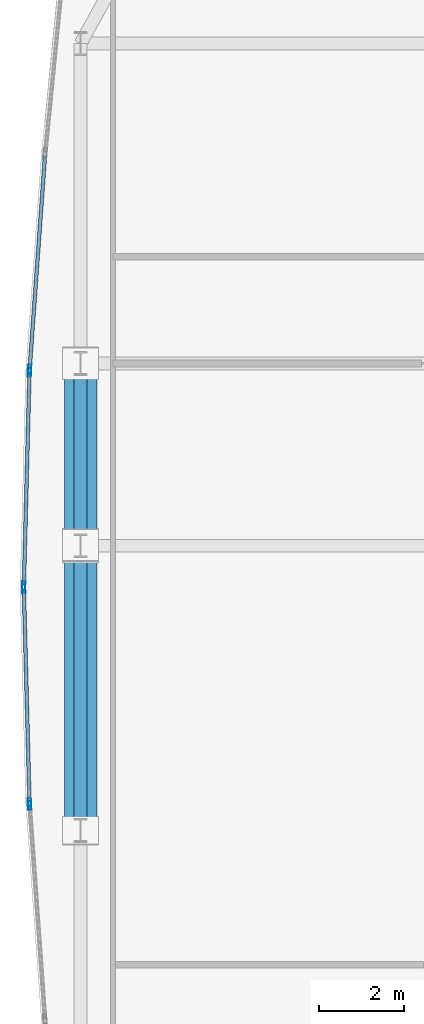
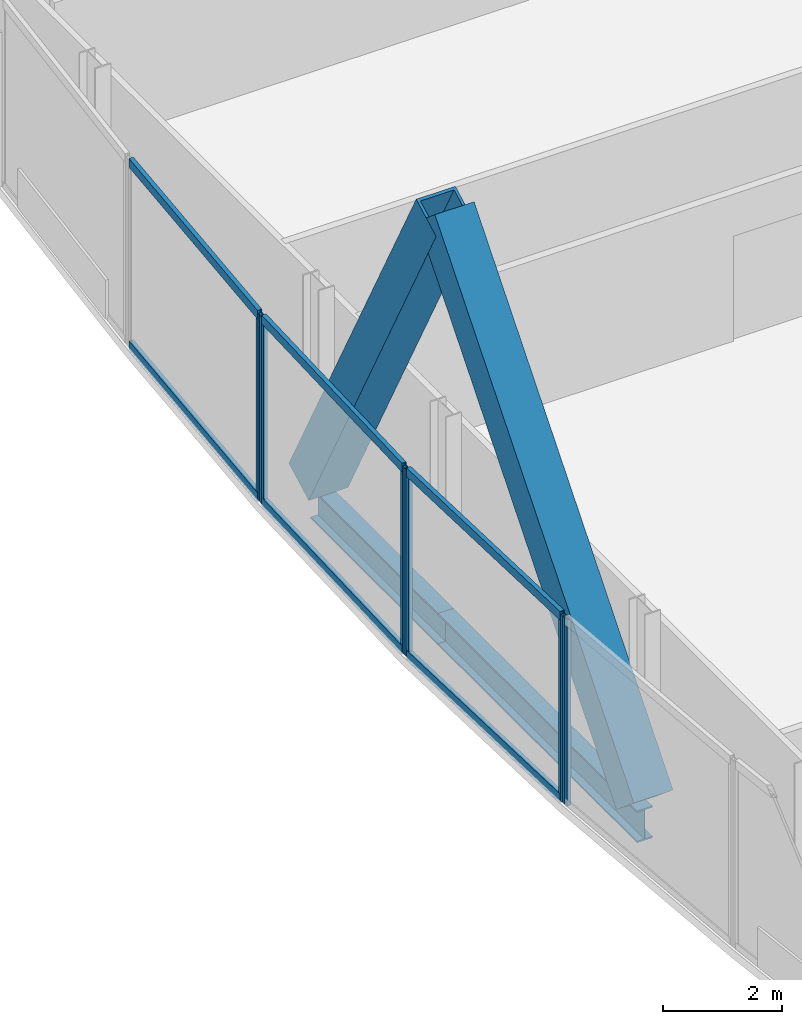
# One storey, part 10 of 33: 14 members, 2 beams, 4 elements without a shape of their own.
"""IFC4 building model written with IfcOpenShell, lengths in metres."""

from ifc_helpers import new_model, si_unit, direction, frame, origin, origin_2d, place, context, subcontext, project, spatial, hollow_rectangle, i_section, extrude, material, material_profile, profile_set, type_object, element, aggregate, save


model = new_model("IFC4")

# Units and contexts
model_context = context("Model", 3, precision=1e-05, world=origin(), true_north=direction((0.0, 1.0)))
body_context = subcontext(model_context, "Body", "Model", "MODEL_VIEW")
ifc_project = project(units=[si_unit("LENGTHUNIT", "METRE"), si_unit("AREAUNIT", "SQUARE_METRE"), si_unit("VOLUMEUNIT", "CUBIC_METRE"), si_unit("PLANEANGLEUNIT", "RADIAN"), si_unit("MASSUNIT", "GRAM", prefix="KILO")], contexts=[model_context])

# Site, building, storey
site_placement = place(None, origin())
site = spatial("IfcSite", under=ifc_project, at=site_placement, CompositionType="ELEMENT")
building_placement = place(site_placement, origin())
building = spatial("IfcBuilding", under=site, at=building_placement, Name="Khoronbel Lancet Exchange", CompositionType="ELEMENT")
storey_placement = place(building_placement, frame((0.0, 0.0, 73.800048828125)))
storey = spatial("IfcBuildingStorey", under=building, at=storey_placement, Name="L17", CompositionType="ELEMENT", Elevation=73.800048828125)

# Beams
ifc_material_1 = material(Name="Steel S355", Category="steel")
ifc_material_profile_1 = material_profile(ifc_material_1, i_section(OverallWidth=0.300048828125, OverallDepth=0.64990234375, WebThickness=0.01611328125, FlangeThickness=0.031005859375, at=origin_2d()), Name="HEB 650")
ifc_profile_set_1 = profile_set([ifc_material_profile_1], Name="Steel S355")
beam_type = type_object("IfcBeamType", Name="BM-BSP1", PredefinedType="SPANDREL", material=ifc_profile_set_1)
beam_1_placement = place(storey_placement, frame((1.27001953125, 35.699951171875, -0.505126953125), z_axis=(0.0, -1.0, 0.0), x_axis=(1.0, 0.0, 0.0)))
element("IfcBeam", 1, at=beam_1_placement, inside=storey, type_object=beam_type, Name="Level L17 perimeter spandrel beam SP18", PredefinedType="SPANDREL", context=body_context, shape_type="SweptSolid", body=[
    extrude(i_section(OverallWidth=0.300048828125, OverallDepth=0.64990234375, WebThickness=0.01611328125, FlangeThickness=0.031005859375, at=origin_2d()), origin(), (0.0, 0.0, 1.0), 4.27490234375),
])
beam_2_placement = place(storey_placement, frame((1.27001953125, 31.425048828125, -0.505126953125), z_axis=(0.0, -1.0, 0.0), x_axis=(1.0, 0.0, 0.0)))
element("IfcBeam", 2, at=beam_2_placement, inside=storey, type_object=beam_type, Name="Level L17 perimeter spandrel beam SP19", PredefinedType="SPANDREL", context=body_context, shape_type="SweptSolid", body=[
    extrude(i_section(OverallWidth=0.300048828125, OverallDepth=0.64990234375, WebThickness=0.01611328125, FlangeThickness=0.031005859375, at=origin_2d()), origin(), (0.0, 0.0, 1.0), 6.675048828125),
])

# Curtain wall, member
ifc_material_2 = material(Name="Low-E Solar Control Insulating Glass", Category="glass")
curtain_wall_type = type_object("IfcCurtainWallType", Name="CW-4", PredefinedType="NOTDEFINED", material=ifc_material_2)
curtain_wall_1_placement = place(storey_placement, origin())
curtain_wall_1 = element("IfcCurtainWall", 3, at=curtain_wall_1_placement, inside=storey, type_object=curtain_wall_type, Name="Unitised curtain wall CW-L17-E05", PredefinedType="NOTDEFINED")
ifc_material_3 = material(Name="Bronze-Anodised Aluminium 6063-T6", Category="aluminium")
ifc_material_profile_2 = material_profile(ifc_material_3, hollow_rectangle(XDim=0.074951171875, YDim=0.199951171875, WallThickness=0.0048828125, at=origin_2d()), Name="ALU MULLION 75x200")
ifc_profile_set_2 = profile_set([ifc_material_profile_2], Name="Bronze-Anodised Aluminium 6063-T6")
member_type_1 = type_object("IfcMemberType", Name="MEM-CWM2", PredefinedType="MULLION", material=ifc_profile_set_2)
member_1_placement = place(storey_placement, frame((0.07666015625, 25.333740234375, 0.0), z_axis=(0.0, 0.0, 1.0), x_axis=(-0.997417674327, -0.071819098708, 0.0)))
member_1 = element("IfcMember", 4, at=member_1_placement, type_object=member_type_1, Name="CW4 mullion 2", PredefinedType="MULLION", context=body_context, shape_type="SweptSolid", body=[
    extrude(hollow_rectangle(XDim=0.074951171875, YDim=0.199951171875, WallThickness=0.0048828125, at=origin_2d()), origin(), (0.0, 0.0, 1.0), 3.820068359375),
])
aggregate(curtain_wall_1, [member_1])

# Curtain wall, members
curtain_wall_2_placement = place(storey_placement, origin())
curtain_wall_2 = element("IfcCurtainWall", 5, at=curtain_wall_2_placement, inside=storey, type_object=curtain_wall_type, Name="Unitised curtain wall CW-L17-E06", PredefinedType="NOTDEFINED")
member_2_placement = place(storey_placement, frame((0.072998046875, 25.40869140625, 0.0), z_axis=(0.0, 0.0, 1.0), x_axis=(-0.999652651433, -0.026354818961, 0.0)))
member_2 = element("IfcMember", 6, at=member_2_placement, type_object=member_type_1, Name="CW4 mullion 1", PredefinedType="MULLION", context=body_context, shape_type="SweptSolid", body=[
    extrude(hollow_rectangle(XDim=0.074951171875, YDim=0.199951171875, WallThickness=0.0048828125, at=origin_2d()), origin(), (0.0, 0.0, 1.0), 3.820068359375),
])
member_3_placement = place(storey_placement, frame((-0.05908203125, 30.41259765625, 0.0), z_axis=(0.0, 0.0, 1.0), x_axis=(-0.999652651433, -0.026354818961, 0.0)))
member_3 = element("IfcMember", 7, at=member_3_placement, type_object=member_type_1, Name="CW4 mullion 2", PredefinedType="MULLION", context=body_context, shape_type="SweptSolid", body=[
    extrude(hollow_rectangle(XDim=0.074951171875, YDim=0.199951171875, WallThickness=0.0048828125, at=origin_2d()), origin(), (0.0, 0.0, 1.0), 3.820068359375),
])

curtain_wall_3_placement = place(storey_placement, origin())
curtain_wall_3 = element("IfcCurtainWall", 8, at=curtain_wall_3_placement, inside=storey, type_object=curtain_wall_type, Name="Unitised curtain wall CW-L17-E07", PredefinedType="NOTDEFINED")
member_4_placement = place(storey_placement, frame((-0.05908203125, 30.487548828125, 0.0), z_axis=(0.0, 0.0, 1.0), x_axis=(-0.999652651433, 0.026354818961, 0.0)))
member_4 = element("IfcMember", 9, at=member_4_placement, type_object=member_type_1, Name="CW4 mullion 1", PredefinedType="MULLION", context=body_context, shape_type="SweptSolid", body=[
    extrude(hollow_rectangle(XDim=0.074951171875, YDim=0.199951171875, WallThickness=0.0048828125, at=origin_2d()), origin(), (0.0, 0.0, 1.0), 3.820068359375),
])
member_5_placement = place(storey_placement, frame((0.072998046875, 35.491455078125, 0.0), z_axis=(0.0, 0.0, 1.0), x_axis=(-0.999652651433, 0.026354818961, 0.0)))
member_5 = element("IfcMember", 10, at=member_5_placement, type_object=member_type_1, Name="CW4 mullion 2", PredefinedType="MULLION", context=body_context, shape_type="SweptSolid", body=[
    extrude(hollow_rectangle(XDim=0.074951171875, YDim=0.199951171875, WallThickness=0.0048828125, at=origin_2d()), origin(), (0.0, 0.0, 1.0), 3.820068359375),
])

# Curtain wall, member
curtain_wall_4_placement = place(storey_placement, origin())
curtain_wall_4 = element("IfcCurtainWall", 11, at=curtain_wall_4_placement, inside=storey, type_object=curtain_wall_type, Name="Unitised curtain wall CW-L17-E08", PredefinedType="NOTDEFINED")
member_6_placement = place(storey_placement, frame((0.07666015625, 35.56640625, 0.0), z_axis=(0.0, 0.0, 1.0), x_axis=(-0.997417674327, 0.071819098708, 0.0)))
member_6 = element("IfcMember", 12, at=member_6_placement, type_object=member_type_1, Name="CW4 mullion 1", PredefinedType="MULLION", context=body_context, shape_type="SweptSolid", body=[
    extrude(hollow_rectangle(XDim=0.074951171875, YDim=0.199951171875, WallThickness=0.0048828125, at=origin_2d()), origin(), (0.0, 0.0, 1.0), 3.820068359375),
])

# Member
ifc_material_profile_3 = material_profile(ifc_material_3, hollow_rectangle(XDim=0.0849609375, YDim=0.179931640625, WallThickness=0.0048828125, at=origin_2d()), Name="ALU TRANSOM 85x180")
ifc_profile_set_3 = profile_set([ifc_material_profile_3], Name="Bronze-Anodised Aluminium 6063-T6")
member_type_2 = type_object("IfcMemberType", Name="MEM-CWT1", PredefinedType="USERDEFINED", material=ifc_profile_set_3)
member_7_placement = place(storey_placement, frame((0.072021484375, 25.446044921875, 0.04248046875), z_axis=(-0.026391319528, 0.999651688466, 0.0), x_axis=(-0.999651688466, -0.026391319528, 0.0)))
member_7 = element("IfcMember", 13, at=member_7_placement, type_object=member_type_2, Name="CW4 transom 1.1", ObjectType="TRANSOM", PredefinedType="USERDEFINED", context=body_context, shape_type="SweptSolid", body=[
    extrude(hollow_rectangle(XDim=0.0849609375, YDim=0.179931640625, WallThickness=0.0048828125, at=origin_2d()), origin(), (0.0, 0.0, 1.0), 4.9306640625),
])

member_8_placement = place(storey_placement, frame((0.072021484375, 25.446044921875, 3.77734375), z_axis=(-0.026391319528, 0.999651688466, 0.0), x_axis=(-0.999651688466, -0.026391319528, 0.0)))
member_8 = element("IfcMember", 14, at=member_8_placement, type_object=member_type_2, Name="CW4 transom 1.2", ObjectType="TRANSOM", PredefinedType="USERDEFINED", context=body_context, shape_type="SweptSolid", body=[
    extrude(hollow_rectangle(XDim=0.0849609375, YDim=0.179931640625, WallThickness=0.0048828125, at=origin_2d()), origin(), (0.0, 0.0, 1.0), 4.9306640625),
])

aggregate(curtain_wall_2, [member_2, member_3, member_7, member_8])

member_9_placement = place(storey_placement, frame((-0.05810546875, 30.52490234375, 0.04248046875), z_axis=(0.026391319528, 0.999651688466, 0.0), x_axis=(-0.999651688466, 0.026391319528, 0.0)))
member_9 = element("IfcMember", 15, at=member_9_placement, type_object=member_type_2, Name="CW4 transom 1.1", ObjectType="TRANSOM", PredefinedType="USERDEFINED", context=body_context, shape_type="SweptSolid", body=[
    extrude(hollow_rectangle(XDim=0.0849609375, YDim=0.179931640625, WallThickness=0.0048828125, at=origin_2d()), origin(), (0.0, 0.0, 1.0), 4.9306640625),
])

member_10_placement = place(storey_placement, frame((-0.05810546875, 30.52490234375, 3.77734375), z_axis=(0.026391319528, 0.999651688466, 0.0), x_axis=(-0.999651688466, 0.026391319528, 0.0)))
member_10 = element("IfcMember", 16, at=member_10_placement, type_object=member_type_2, Name="CW4 transom 1.2", ObjectType="TRANSOM", PredefinedType="USERDEFINED", context=body_context, shape_type="SweptSolid", body=[
    extrude(hollow_rectangle(XDim=0.0849609375, YDim=0.179931640625, WallThickness=0.0048828125, at=origin_2d()), origin(), (0.0, 0.0, 1.0), 4.9306640625),
])

aggregate(curtain_wall_3, [member_4, member_5, member_9, member_10])

member_11_placement = place(storey_placement, frame((0.079345703125, 35.603759765625, 0.04248046875), z_axis=(0.071812133088, 0.997418175863, 0.0), x_axis=(-0.997418175863, 0.071812133088, 0.0)))
member_11 = element("IfcMember", 17, at=member_11_placement, type_object=member_type_2, Name="CW4 transom 1.1", ObjectType="TRANSOM", PredefinedType="USERDEFINED", context=body_context, shape_type="SweptSolid", body=[
    extrude(hollow_rectangle(XDim=0.0849609375, YDim=0.179931640625, WallThickness=0.0048828125, at=origin_2d()), origin(), (0.0, 0.0, 1.0), 4.943115234375),
])

member_12_placement = place(storey_placement, frame((0.079345703125, 35.603759765625, 3.77734375), z_axis=(0.071812133088, 0.997418175863, 0.0), x_axis=(-0.997418175863, 0.071812133088, 0.0)))
member_12 = element("IfcMember", 18, at=member_12_placement, type_object=member_type_2, Name="CW4 transom 1.2", ObjectType="TRANSOM", PredefinedType="USERDEFINED", context=body_context, shape_type="SweptSolid", body=[
    extrude(hollow_rectangle(XDim=0.0849609375, YDim=0.179931640625, WallThickness=0.0048828125, at=origin_2d()), origin(), (0.0, 0.0, 1.0), 4.943115234375),
])

aggregate(curtain_wall_4, [member_6, member_11, member_12])

# Members
ifc_material_4 = material(Name="Steel S460", Category="steel")
ifc_material_profile_4 = material_profile(ifc_material_4, hollow_rectangle(XDim=0.760009765625, YDim=0.760009765625, WallThickness=0.054931640625, at=origin_2d()), Name="BOX 760x760x55")
ifc_profile_set_4 = profile_set([ifc_material_profile_4], Name="Steel S460")
member_type_3 = type_object("IfcMemberType", Name="MEM-MB1", PredefinedType="BRACE", material=ifc_profile_set_4)
member_13_placement = place(storey_placement, frame((1.27001953125, 24.75, 0.0), z_axis=(0.0, 0.640659067021, 0.76782547486), x_axis=(-1.0, 0.0, 0.0)))
element("IfcMember", 19, at=member_13_placement, inside=storey, type_object=member_type_3, Name="Perimeter lancet brace tier 5 W-P-L", PredefinedType="BRACE", context=body_context, shape_type="SweptSolid", body=[
    extrude(hollow_rectangle(XDim=0.760009765625, YDim=0.760009765625, WallThickness=0.054931640625, at=origin_2d()), origin(), (0.0, 0.0, 1.0), 10.4189453125),
])
member_14_placement = place(storey_placement, frame((1.27001953125, 35.699951171875, 0.0), z_axis=(0.0, -0.471294972251, 0.881975651098), x_axis=(1.0, 0.0, 0.0)))
element("IfcMember", 20, at=member_14_placement, inside=storey, type_object=member_type_3, Name="Perimeter lancet brace tier 5 W-P-R", PredefinedType="BRACE", context=body_context, shape_type="SweptSolid", body=[
    extrude(hollow_rectangle(XDim=0.760009765625, YDim=0.760009765625, WallThickness=0.054931640625, at=origin_2d()), origin(), (0.0, 0.0, 1.0), 9.070556640625),
])

save(model, "model.ifc")
